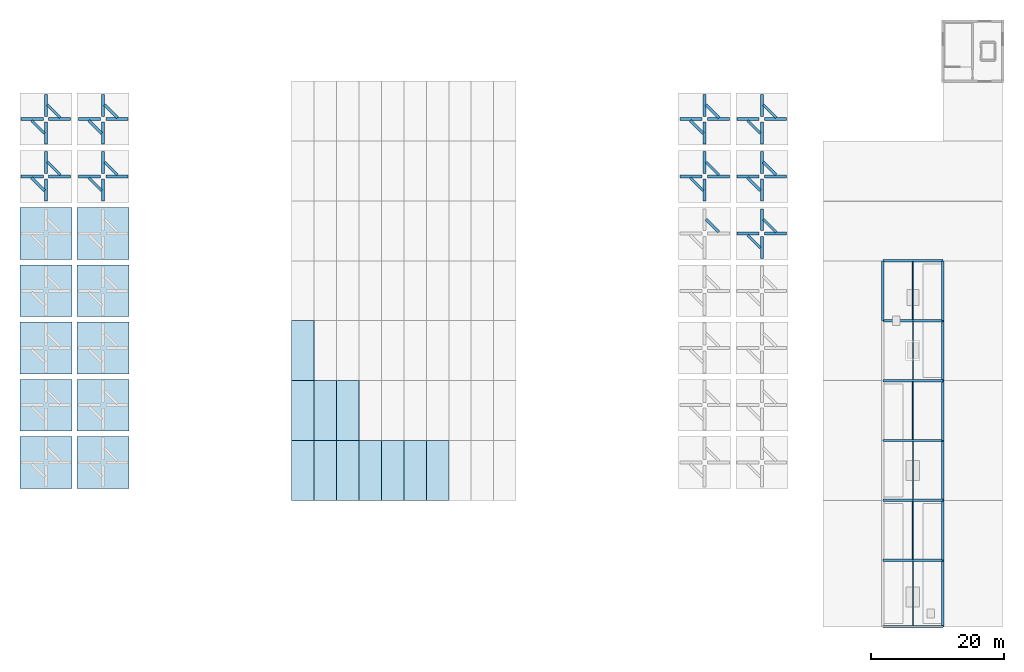
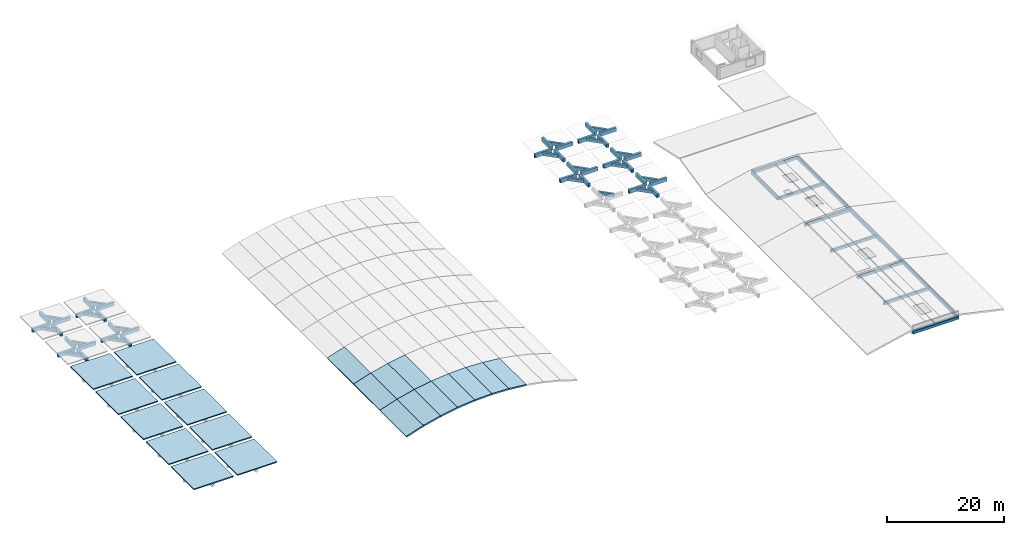
# One storey, part 3 of 7: 75 beams, 21 slabs.
"""IFC4 building model written with IfcOpenShell, lengths in metres."""

import ifcopenshell
import ifcopenshell.guid

model = None  # the IFC model being written
_history = None  # IfcOwnerHistory: only IFC2X3 demands one
_inside = {}  # id of a spatial element -> (the spatial element, [elements in it])
_under = {}  # id of a project, library or spatial element -> (it, [spatial elements below it])
_declared = {}  # id of a project -> (the project, [libraries it declares])
_typed = {}  # id of a type object -> (the type object, [elements of that type])
_made_of = {}  # id of a material, layer set ... -> (it, [elements and type objects made of it])


def new_model(schema):
    """Start an empty IFC model of exactly this schema.

    Asked for "IFC4X3", IfcOpenShell would pick the latest addendum, in which some entities
    have other attributes; the version numbers below select the first issue.
    IFC2X3 requires an IfcOwnerHistory on every rooted entity: one is made here for all.
    """
    global model, _history
    if schema == "IFC4X3":
        model = ifcopenshell.file(schema_version=(4, 3, 0, 0))
    else:
        model = ifcopenshell.file(schema=schema)
    _inside.clear()
    _under.clear()
    _declared.clear()
    _typed.clear()
    _made_of.clear()
    _history = None
    if model.schema == "IFC2X3":
        org = make("IfcOrganization", Name="unknown")
        user = make(
            "IfcPersonAndOrganization",
            ThePerson=make("IfcPerson", FamilyName="unknown"),
            TheOrganization=org,
        )
        app = make(
            "IfcApplication",
            ApplicationDeveloper=org,
            Version="unknown",
            ApplicationFullName="unknown",
            ApplicationIdentifier="unknown",
        )
        _history = make(
            "IfcOwnerHistory",
            OwningUser=user,
            OwningApplication=app,
            ChangeAction="ADDED",
            CreationDate=0,
        )
    return model


def make(cls, **values):
    """One entity of the class cls with the attributes given. An attribute that is None is left unset."""
    return model.create_entity(
        cls, **{name: value for name, value in values.items() if value is not None}
    )


def rooted(cls, **values):
    """An entity with a GlobalId (a new one), such as an element, a storey or a relation."""
    return make(cls, GlobalId=ifcopenshell.guid.new(), OwnerHistory=_history, **values)


def si_unit(unit_type, name, prefix=None):
    """IfcSIUnit, for example si_unit("LENGTHUNIT", "METRE", prefix="MILLI")."""
    return make("IfcSIUnit", UnitType=unit_type, Prefix=prefix, Name=name)


def assignment(units):
    """IfcUnitAssignment: the units of a project."""
    return None if units is None else make("IfcUnitAssignment", Units=units)


def point(xyz):
    """IfcCartesianPoint."""
    return None if xyz is None else make("IfcCartesianPoint", Coordinates=xyz)


def direction(xyz):
    """IfcDirection."""
    return None if xyz is None else make("IfcDirection", DirectionRatios=xyz)


def frame(location, z_axis=None, x_axis=None):
    """IfcAxis2Placement3D, a coordinate frame: its origin and axes. An axis left out is left unset."""
    return make(
        "IfcAxis2Placement3D",
        Location=point(location),
        Axis=direction(z_axis),
        RefDirection=direction(x_axis),
    )


def frame_2d(location, x_axis=None):
    """IfcAxis2Placement2D, a coordinate frame in the plane: its origin and x axis."""
    return make(
        "IfcAxis2Placement2D", Location=point(location), RefDirection=direction(x_axis)
    )


def origin():
    """The frame at (0, 0, 0) with its axes left unset."""
    return frame((0.0, 0.0, 0.0))


def origin_2d():
    """The frame at (0, 0) in the plane with its x axis left unset."""
    return frame_2d((0.0, 0.0))


def place(relative_to, where):
    """IfcLocalPlacement: puts the frame where relative to a parent placement (None: the world)."""
    return make(
        "IfcLocalPlacement", PlacementRelTo=relative_to, RelativePlacement=where
    )


def context(
    kind, dimensions, precision=None, world=None, true_north=None, identifier=None
):
    """IfcGeometricRepresentationContext, for example the 3D "Model" context."""
    return make(
        "IfcGeometricRepresentationContext",
        ContextIdentifier=identifier,
        ContextType=kind,
        CoordinateSpaceDimension=dimensions,
        Precision=precision,
        WorldCoordinateSystem=world,
        TrueNorth=true_north,
    )


def subcontext(parent, identifier, kind, view, scale=None):
    """IfcGeometricRepresentationSubContext, for example "Body" below "Model"."""
    return make(
        "IfcGeometricRepresentationSubContext",
        ContextIdentifier=identifier,
        ContextType=kind,
        ParentContext=parent,
        TargetScale=scale,
        TargetView=view,
    )


def project(units=None, contexts=None):
    """IfcProject with its units and contexts."""
    return rooted(
        "IfcProject",
        Name="project",
        RepresentationContexts=contexts,
        UnitsInContext=assignment(units),
    )


def spatial(cls, under=None, at=None, **own):
    """A site, building, storey or space (cls), placed at a placement, below another one or the project."""
    s = rooted(cls, ObjectPlacement=at, **own)
    if under is not None:
        _under.setdefault(under.id(), (under, []))[1].append(s)
    return s


def polyline(points):
    """IfcPolyline through the points."""
    return make("IfcPolyline", Points=[point(p) for p in points])


def profile(cls, at=None, kind="AREA", **sizes):
    """A parametric profile (cls). Its sizes go by their IFC names, for example OverallWidth=200.0."""
    return make(cls, ProfileType=kind, Position=at, **sizes)


def rectangle(**sizes):
    """IfcRectangleProfileDef."""
    return profile("IfcRectangleProfileDef", **sizes)


def i_section(**sizes):
    """IfcIShapeProfileDef."""
    return profile("IfcIShapeProfileDef", **sizes)


def outline(outer, holes=None, kind="AREA"):
    """IfcArbitraryClosedProfileDef: a profile drawn as a closed curve; with holes, ...WithVoids."""
    if holes is None:
        return make("IfcArbitraryClosedProfileDef", ProfileType=kind, OuterCurve=outer)
    return make(
        "IfcArbitraryProfileDefWithVoids",
        ProfileType=kind,
        OuterCurve=outer,
        InnerCurves=holes,
    )


def extrude(swept, where, along, depth):
    """IfcExtrudedAreaSolid: the profile swept, set in the frame where, extruded along a direction by depth."""
    return make(
        "IfcExtrudedAreaSolid",
        SweptArea=swept,
        Position=where,
        ExtrudedDirection=direction(along),
        Depth=depth,
    )


def shape(context_of_items, identifier, shape_type, items):
    """IfcShapeRepresentation: the items that make up one representation, for example the "Body"."""
    return make(
        "IfcShapeRepresentation",
        ContextOfItems=context_of_items,
        RepresentationIdentifier=identifier,
        RepresentationType=shape_type,
        Items=items,
    )


def material(Name=None, Category=None):
    """IfcMaterial."""
    return make("IfcMaterial", Name=Name, Category=Category)


def layer(
    of_material, thickness, ventilated=None, Name=None, Category=None, Priority=None
):
    """IfcMaterialLayer: one layer of a wall or slab, of a material (None: an air gap)."""
    return make(
        "IfcMaterialLayer",
        Material=of_material,
        LayerThickness=thickness,
        IsVentilated=ventilated,
        Name=Name,
        Category=Category,
        Priority=Priority,
    )


def layer_set(layers, Name=None):
    """IfcMaterialLayerSet."""
    return make("IfcMaterialLayerSet", MaterialLayers=layers, LayerSetName=Name)


def material_profile(
    of_material, cross_section, Name=None, Category=None, Priority=None
):
    """IfcMaterialProfile: a cross section and its material."""
    return make(
        "IfcMaterialProfile",
        Name=Name,
        Material=of_material,
        Profile=cross_section,
        Priority=Priority,
        Category=Category,
    )


def profile_set(profiles, Name=None, composite=None):
    """IfcMaterialProfileSet."""
    return make(
        "IfcMaterialProfileSet",
        Name=Name,
        MaterialProfiles=profiles,
        CompositeProfile=composite,
    )


def made_of(thing, what):
    """Note that an element or type object is made of a material, layer set ...; save() writes the relation."""
    if what is not None:
        _made_of.setdefault(what.id(), (what, []))[1].append(thing)
    return thing


def type_object(cls, material=None, **own):
    """A type object (cls), such as IfcWallType, which elements share."""
    return made_of(rooted(cls, **own), material)


def element(
    cls,
    number,
    at=None,
    inside=None,
    cuts=None,
    type_object=None,
    material=None,
    context=None,
    identifier="Body",
    shape_type=None,
    held_by="IfcProductDefinitionShape",
    body=None,
    shapes=None,
    **own,
):
    """One element of the class cls, such as IfcWall. Its Tag is "e" and its number.

    at: its placement. inside: the storey or other place that contains it. cuts: it is an
    opening in that element (IfcRelVoidsElement). A single representation is given by context,
    identifier, shape_type and body (its items); several are given by shapes. held_by: the class
    of the entity that holds the representations. save() writes the other relations.
    """
    e = rooted(cls, Tag="e%d" % number, ObjectPlacement=at, **own)
    if body is not None:
        shapes = [shape(context, identifier, shape_type, body)]
    if shapes is not None:
        e.Representation = make(held_by, Representations=shapes)
    if inside is not None:
        _inside.setdefault(inside.id(), (inside, []))[1].append(e)
    if cuts is not None:
        rooted(
            "IfcRelVoidsElement", RelatingBuildingElement=cuts, RelatedOpeningElement=e
        )
    if type_object is not None:
        _typed.setdefault(type_object.id(), (type_object, []))[1].append(e)
    return made_of(e, material)


def aggregate(whole, parts):
    """IfcRelAggregates: a whole, such as a stair, and the parts it consists of."""
    return rooted("IfcRelAggregates", RelatingObject=whole, RelatedObjects=parts)


def save(model, path):
    """Write the relations noted so far, then the file.

    IfcRelAggregates (storeys below a building ...), IfcRelContainedInSpatialStructure (elements
    in a storey), IfcRelDefinesByType, IfcRelAssociatesMaterial and IfcRelDeclares: one each for
    every whole, place, type object, material and project.
    """
    for whole, parts in _under.values():
        aggregate(whole, parts)
    for where, things in _inside.values():
        rooted(
            "IfcRelContainedInSpatialStructure",
            RelatedElements=things,
            RelatingStructure=where,
        )
    for kind, things in _typed.values():
        rooted("IfcRelDefinesByType", RelatedObjects=things, RelatingType=kind)
    for what, things in _made_of.values():
        rooted("IfcRelAssociatesMaterial", RelatedObjects=things, RelatingMaterial=what)
    for by, libraries in _declared.values():
        rooted("IfcRelDeclares", RelatingContext=by, RelatedDefinitions=libraries)
    model.write(path)


model = new_model("IFC4")

# Units and contexts
model_context = context("Model", 3, precision=1e-05, world=origin(), true_north=direction((0.0, 1.0)))
body_context = subcontext(model_context, "Body", "Model", "MODEL_VIEW")
ifc_project = project(units=[si_unit("LENGTHUNIT", "METRE"), si_unit("AREAUNIT", "SQUARE_METRE"), si_unit("VOLUMEUNIT", "CUBIC_METRE"), si_unit("PLANEANGLEUNIT", "RADIAN"), si_unit("MASSUNIT", "GRAM", prefix="KILO")], contexts=[model_context])

# Site, building, storey
site_placement = place(None, origin())
site = spatial("IfcSite", under=ifc_project, at=site_placement, CompositionType="ELEMENT")
building_placement = place(site_placement, origin())
building = spatial("IfcBuilding", under=site, at=building_placement, Name="Ornek Quay Market", CompositionType="ELEMENT")
storey_placement = place(building_placement, frame((0.0, 0.0, 16.64990234375)))
storey = spatial("IfcBuildingStorey", under=building, at=storey_placement, Name="ROOF", CompositionType="ELEMENT", Elevation=16.64990234375)

# Beams
ifc_material_1 = material(Name="Concrete C35/45", Category="concrete")
ifc_material_profile_1 = material_profile(ifc_material_1, rectangle(XDim=0.35009765625, YDim=0.60009765625, at=origin_2d()), Name="RC 350x600", Category="concrete")
ifc_profile_set_1 = profile_set([ifc_material_profile_1], Name="Concrete C35/45")
beam_type_1 = type_object("IfcBeamType", Name="BM-RF-350x600", PredefinedType="BEAM", material=ifc_profile_set_1)
for number, where, z_axis, x_axis, name in (
    (1, (162.0, 10.0, 0.130126953125), (1.0, 0.0, 0.0), (0.0, 1.0, 0.0), "Primary beam B-RF1-031"),
    (2, (162.0, 20.0, 0.130126953125), (1.0, 0.0, 0.0), (0.0, 1.0, 0.0), "Primary beam B-RF1-032"),
    (3, (162.0, 29.0, 0.130126953125), (1.0, 0.0, 0.0), (0.0, 1.0, 0.0), "Primary beam B-RF1-033"),
    (4, (162.0, 38.0, 0.130126953125), (1.0, 0.0, 0.0), (0.0, 1.0, 0.0), "Primary beam B-RF1-034"),
    (5, (162.0, 47.0, 0.130126953125), (1.0, 0.0, 0.0), (0.0, 1.0, 0.0), "Primary beam B-RF1-035"),
    (6, (162.0, 56.0, 0.130126953125), (1.0, 0.0, 0.0), (0.0, 1.0, 0.0), "Primary beam B-RF1-036"),
    (7, (162.0, 65.0, 0.130126953125), (1.0, 0.0, 0.0), (0.0, 1.0, 0.0), "Primary beam B-RF1-037"),
    (8, (162.0, 56.0, 0.130126953125), (0.0, 1.0, 0.0), (-1.0, 0.0, 0.0), "Primary beam B-RF1-043"),
):
    element("IfcBeam", number, at=place(storey_placement, frame(where, z_axis=z_axis, x_axis=x_axis)), inside=storey, type_object=beam_type_1, Name=name, PredefinedType="BEAM", context=body_context, shape_type="SweptSolid", body=[
        extrude(rectangle(XDim=0.35009765625, YDim=0.60009765625, at=origin_2d()), origin(), (0.0, 0.0, 1.0), 9.0),
    ])
beam_1_placement = place(storey_placement, frame((171.0, 10.0, 0.130126953125), z_axis=(0.0, 1.0, 0.0), x_axis=(-1.0, 0.0, 0.0)))
element("IfcBeam", 9, at=beam_1_placement, inside=storey, type_object=beam_type_1, Name="Primary beam B-RF1-044", PredefinedType="BEAM", context=body_context, shape_type="SweptSolid", body=[
    extrude(rectangle(XDim=0.35009765625, YDim=0.60009765625, at=origin_2d()), origin(), (0.0, 0.0, 1.0), 10.0),
])
for number, where, z_axis, x_axis, name in (
    (10, (171.0, 20.0, 0.130126953125), (0.0, 1.0, 0.0), (-1.0, 0.0, 0.0), "Primary beam B-RF1-045"),
    (11, (171.0, 29.0, 0.130126953125), (0.0, 1.0, 0.0), (-1.0, 0.0, 0.0), "Primary beam B-RF1-046"),
    (12, (171.0, 38.0, 0.130126953125), (0.0, 1.0, 0.0), (-1.0, 0.0, 0.0), "Primary beam B-RF1-047"),
    (13, (171.0, 47.0, 0.130126953125), (0.0, 1.0, 0.0), (-1.0, 0.0, 0.0), "Primary beam B-RF1-048"),
    (14, (171.0, 56.0, 0.130126953125), (0.0, 1.0, 0.0), (-1.0, 0.0, 0.0), "Primary beam B-RF1-049"),
):
    element("IfcBeam", number, at=place(storey_placement, frame(where, z_axis=z_axis, x_axis=x_axis)), inside=storey, type_object=beam_type_1, Name=name, PredefinedType="BEAM", context=body_context, shape_type="SweptSolid", body=[
        extrude(rectangle(XDim=0.35009765625, YDim=0.60009765625, at=origin_2d()), origin(), (0.0, 0.0, 1.0), 9.0),
    ])
ifc_material_2 = material(Name="Steel S355", Category="steel")
ifc_material_profile_2 = material_profile(ifc_material_2, i_section(OverallWidth=0.10009765625, OverallDepth=0.199951171875, WebThickness=0.005615234375, FlangeThickness=0.008544921875, FilletRadius=0.011962890625, at=origin_2d()), Name="IPE 200", Category="steel")
ifc_profile_set_2 = profile_set([ifc_material_profile_2], Name="Steel S355")
beam_type_2 = type_object("IfcBeamType", Name="BM-STL-IPE200", PredefinedType="JOIST", material=ifc_profile_set_2)
beam_2_placement = place(storey_placement, frame((166.5, 10.1669921875, 0.330078125), z_axis=(0.0, 1.0, 0.0), x_axis=(-1.0, 0.0, 0.0)))
element("IfcBeam", 15, at=beam_2_placement, inside=storey, type_object=beam_type_2, Name="Secondary joist SB-02-051", PredefinedType="JOIST", context=body_context, shape_type="SweptSolid", body=[
    extrude(i_section(OverallWidth=0.10009765625, OverallDepth=0.199951171875, WebThickness=0.005615234375, FlangeThickness=0.008544921875, FilletRadius=0.011962890625, at=origin_2d()), origin(), (0.0, 0.0, 1.0), 9.666015625),
])
for number, where, z_axis, x_axis, name in (
    (16, (166.5, 29.1669921875, 0.330078125), (0.0, 1.0, 0.0), (-1.0, 0.0, 0.0), "Secondary joist SB-02-052"),
    (17, (166.5, 47.1669921875, 0.330078125), (0.0, 1.0, 0.0), (-1.0, 0.0, 0.0), "Secondary joist SB-02-053"),
):
    element("IfcBeam", number, at=place(storey_placement, frame(where, z_axis=z_axis, x_axis=x_axis)), inside=storey, type_object=beam_type_2, Name=name, PredefinedType="JOIST", context=body_context, shape_type="SweptSolid", body=[
        extrude(i_section(OverallWidth=0.10009765625, OverallDepth=0.199951171875, WebThickness=0.005615234375, FlangeThickness=0.008544921875, FilletRadius=0.011962890625, at=origin_2d()), origin(), (0.0, 0.0, 1.0), 8.666015625),
    ])
ifc_material_profile_3 = material_profile(ifc_material_2, i_section(OverallWidth=0.110107421875, OverallDepth=0.219970703125, WebThickness=0.005859375, FlangeThickness=0.00927734375, FilletRadius=0.011962890625, at=origin_2d()), Name="IPE 220", Category="steel")
ifc_profile_set_3 = profile_set([ifc_material_profile_3], Name="Steel S355")
beam_type_3 = type_object("IfcBeamType", Name="BM-STL-IPE220", PredefinedType="JOIST", material=ifc_profile_set_3)
for number, where, z_axis, x_axis, name in (
    (18, (166.5, 20.1669921875, 0.320068359375), (0.0, 1.0, 0.0), (-1.0, 0.0, 0.0), "Secondary joist SB-03-040"),
    (19, (166.5, 38.1669921875, 0.320068359375), (0.0, 1.0, 0.0), (-1.0, 0.0, 0.0), "Secondary joist SB-03-041"),
    (20, (166.5, 56.1669921875, 0.320068359375), (0.0, 1.0, 0.0), (-1.0, 0.0, 0.0), "Secondary joist SB-03-042"),
):
    element("IfcBeam", number, at=place(storey_placement, frame(where, z_axis=z_axis, x_axis=x_axis)), inside=storey, type_object=beam_type_3, Name=name, PredefinedType="JOIST", context=body_context, shape_type="SweptSolid", body=[
        extrude(i_section(OverallWidth=0.110107421875, OverallDepth=0.219970703125, WebThickness=0.005859375, FlangeThickness=0.00927734375, FilletRadius=0.011962890625, at=origin_2d()), origin(), (0.0, 0.0, 1.0), 8.666015625),
    ])
ifc_material_3 = material(Name="Concrete C40/50", Category="concrete")
ifc_material_profile_4 = material_profile(ifc_material_3, rectangle(XDim=0.39990234375, YDim=0.64990234375, at=origin_2d()), Name="RC 400x650", Category="concrete")
ifc_profile_set_4 = profile_set([ifc_material_profile_4], Name="Concrete C40/50")
beam_type_4 = type_object("IfcBeamType", Name="BM-UMB-400x650", PredefinedType="BEAM", material=ifc_profile_set_4)
for number, where, z_axis, x_axis, name in (
    (21, (38.35009765625, 77.925048828125, -0.294921875), (-0.707106781187, 0.707106781187, 0.0), (-0.707106781187, -0.707106781187, 0.0), "Umbrella diagonal rib UMB-W06 EN"),
    (22, (34.050048828125, 77.47509765625, -0.294921875), (0.707106781187, -0.707106781187, 0.0), (0.707106781187, 0.707106781187, 0.0), "Umbrella diagonal rib UMB-W06 WS"),
    (23, (38.35009765625, 86.52490234375, -0.294921875), (-0.707106781187, 0.707106781187, 0.0), (-0.707106781187, -0.707106781187, 0.0), "Umbrella diagonal rib UMB-W07 EN"),
    (24, (34.050048828125, 86.074951171875, -0.294921875), (0.707106781187, -0.707106781187, 0.0), (0.707106781187, 0.707106781187, 0.0), "Umbrella diagonal rib UMB-W07 WS"),
    (25, (46.949951171875, 77.925048828125, -0.294921875), (-0.707106781187, 0.707106781187, 0.0), (-0.707106781187, -0.707106781187, 0.0), "Umbrella diagonal rib UMB-W13 EN"),
    (26, (42.64990234375, 77.47509765625, -0.294921875), (0.707106781187, -0.707106781187, 0.0), (0.707106781187, 0.707106781187, 0.0), "Umbrella diagonal rib UMB-W13 WS"),
    (27, (46.949951171875, 86.52490234375, -0.294921875), (-0.707106781187, 0.707106781187, 0.0), (-0.707106781187, -0.707106781187, 0.0), "Umbrella diagonal rib UMB-W14 EN"),
    (28, (42.64990234375, 86.074951171875, -0.294921875), (0.707106781187, -0.707106781187, 0.0), (0.707106781187, 0.707106781187, 0.0), "Umbrella diagonal rib UMB-W14 WS"),
    (29, (137.35009765625, 69.324951171875, 1.405029296875), (-0.707106781187, 0.707106781187, 0.0), (-0.707106781187, -0.707106781187, 0.0), "Umbrella diagonal rib UMB-E05 EN"),
    (30, (137.35009765625, 77.925048828125, 1.405029296875), (-0.707106781187, 0.707106781187, 0.0), (-0.707106781187, -0.707106781187, 0.0), "Umbrella diagonal rib UMB-E06 EN"),
    (31, (133.050048828125, 77.47509765625, 1.405029296875), (0.707106781187, -0.707106781187, 0.0), (0.707106781187, 0.707106781187, 0.0), "Umbrella diagonal rib UMB-E06 WS"),
    (32, (137.35009765625, 86.52490234375, 1.405029296875), (-0.707106781187, 0.707106781187, 0.0), (-0.707106781187, -0.707106781187, 0.0), "Umbrella diagonal rib UMB-E07 EN"),
    (33, (133.050048828125, 86.074951171875, 1.405029296875), (0.707106781187, -0.707106781187, 0.0), (0.707106781187, 0.707106781187, 0.0), "Umbrella diagonal rib UMB-E07 WS"),
    (34, (145.949951171875, 69.324951171875, 1.405029296875), (-0.707106781187, 0.707106781187, 0.0), (-0.707106781187, -0.707106781187, 0.0), "Umbrella diagonal rib UMB-E12 EN"),
    (35, (141.64990234375, 68.875, 1.405029296875), (0.707106781187, -0.707106781187, 0.0), (0.707106781187, 0.707106781187, 0.0), "Umbrella diagonal rib UMB-E12 WS"),
    (36, (145.949951171875, 77.925048828125, 1.405029296875), (-0.707106781187, 0.707106781187, 0.0), (-0.707106781187, -0.707106781187, 0.0), "Umbrella diagonal rib UMB-E13 EN"),
    (37, (141.64990234375, 77.47509765625, 1.405029296875), (0.707106781187, -0.707106781187, 0.0), (0.707106781187, 0.707106781187, 0.0), "Umbrella diagonal rib UMB-E13 WS"),
    (38, (145.949951171875, 86.52490234375, 1.405029296875), (-0.707106781187, 0.707106781187, 0.0), (-0.707106781187, -0.707106781187, 0.0), "Umbrella diagonal rib UMB-E14 EN"),
    (39, (141.64990234375, 86.074951171875, 1.405029296875), (0.707106781187, -0.707106781187, 0.0), (0.707106781187, 0.707106781187, 0.0), "Umbrella diagonal rib UMB-E14 WS"),
):
    element("IfcBeam", number, at=place(storey_placement, frame(where, z_axis=z_axis, x_axis=x_axis)), inside=storey, type_object=beam_type_4, Name=name, PredefinedType="BEAM", context=body_context, shape_type="SweptSolid", body=[
        extrude(rectangle(XDim=0.39990234375, YDim=0.64990234375, at=origin_2d()), origin(), (0.0, 0.0, 1.0), 2.722412109375),
    ])
ifc_material_profile_5 = material_profile(ifc_material_3, rectangle(XDim=0.449951171875, YDim=0.75, at=origin_2d()), Name="RC 450x750", Category="concrete")
ifc_profile_set_5 = profile_set([ifc_material_profile_5], Name="Concrete C40/50")
beam_type_5 = type_object("IfcBeamType", Name="BM-UMB-450x750", PredefinedType="BEAM", material=ifc_profile_set_5)
beam_3_placement = place(storey_placement, frame((36.60009765625, 77.699951171875, -0.344970703125), z_axis=(1.0, 0.0, 0.0), x_axis=(0.0, 1.0, 0.0)))
element("IfcBeam", 40, at=beam_3_placement, inside=storey, type_object=beam_type_5, Name="Umbrella cantilever rib UMB-W06 E", PredefinedType="BEAM", context=body_context, shape_type="SweptSolid", body=[
    extrude(rectangle(XDim=0.449951171875, YDim=0.75, at=origin_2d()), origin(), (0.0, 0.0, 1.0), 3.31982421875),
])
beam_4_placement = place(storey_placement, frame((35.800048828125, 77.699951171875, -0.344970703125), z_axis=(-1.0, 0.0, 0.0), x_axis=(0.0, -1.0, 0.0)))
element("IfcBeam", 41, at=beam_4_placement, inside=storey, type_object=beam_type_5, Name="Umbrella cantilever rib UMB-W06 W", PredefinedType="BEAM", context=body_context, shape_type="SweptSolid", body=[
    extrude(rectangle(XDim=0.449951171875, YDim=0.75, at=origin_2d()), origin(), (0.0, 0.0, 1.0), 3.320068359375),
])
beam_5_placement = place(storey_placement, frame((36.199951171875, 78.10009765625, -0.344970703125), z_axis=(0.0, 1.0, 0.0), x_axis=(-1.0, 0.0, 0.0)))
element("IfcBeam", 42, at=beam_5_placement, inside=storey, type_object=beam_type_5, Name="Umbrella cantilever rib UMB-W06 N", PredefinedType="BEAM", context=body_context, shape_type="SweptSolid", body=[
    extrude(rectangle(XDim=0.449951171875, YDim=0.75, at=origin_2d()), origin(), (0.0, 0.0, 1.0), 3.31982421875),
])
beam_6_placement = place(storey_placement, frame((36.199951171875, 77.300048828125, -0.344970703125), z_axis=(0.0, -1.0, 0.0), x_axis=(1.0, 0.0, 0.0)))
element("IfcBeam", 43, at=beam_6_placement, inside=storey, type_object=beam_type_5, Name="Umbrella cantilever rib UMB-W06 S", PredefinedType="BEAM", context=body_context, shape_type="SweptSolid", body=[
    extrude(rectangle(XDim=0.449951171875, YDim=0.75, at=origin_2d()), origin(), (0.0, 0.0, 1.0), 3.320068359375),
])
beam_7_placement = place(storey_placement, frame((36.60009765625, 86.300048828125, -0.344970703125), z_axis=(1.0, 0.0, 0.0), x_axis=(0.0, 1.0, 0.0)))
element("IfcBeam", 44, at=beam_7_placement, inside=storey, type_object=beam_type_5, Name="Umbrella cantilever rib UMB-W07 E", PredefinedType="BEAM", context=body_context, shape_type="SweptSolid", body=[
    extrude(rectangle(XDim=0.449951171875, YDim=0.75, at=origin_2d()), origin(), (0.0, 0.0, 1.0), 3.31982421875),
])
for number, where, z_axis, x_axis, name in (
    (45, (35.800048828125, 86.300048828125, -0.344970703125), (-1.0, 0.0, 0.0), (0.0, -1.0, 0.0), "Umbrella cantilever rib UMB-W07 W"),
    (46, (36.199951171875, 86.699951171875, -0.344970703125), (0.0, 1.0, 0.0), (-1.0, 0.0, 0.0), "Umbrella cantilever rib UMB-W07 N"),
):
    element("IfcBeam", number, at=place(storey_placement, frame(where, z_axis=z_axis, x_axis=x_axis)), inside=storey, type_object=beam_type_5, Name=name, PredefinedType="BEAM", context=body_context, shape_type="SweptSolid", body=[
        extrude(rectangle(XDim=0.449951171875, YDim=0.75, at=origin_2d()), origin(), (0.0, 0.0, 1.0), 3.320068359375),
    ])
beam_8_placement = place(storey_placement, frame((36.199951171875, 85.89990234375, -0.344970703125), z_axis=(0.0, -1.0, 0.0), x_axis=(1.0, 0.0, 0.0)))
element("IfcBeam", 47, at=beam_8_placement, inside=storey, type_object=beam_type_5, Name="Umbrella cantilever rib UMB-W07 S", PredefinedType="BEAM", context=body_context, shape_type="SweptSolid", body=[
    extrude(rectangle(XDim=0.449951171875, YDim=0.75, at=origin_2d()), origin(), (0.0, 0.0, 1.0), 3.31982421875),
])
beam_9_placement = place(storey_placement, frame((45.199951171875, 77.699951171875, -0.344970703125), z_axis=(1.0, 0.0, 0.0), x_axis=(0.0, 1.0, 0.0)))
element("IfcBeam", 48, at=beam_9_placement, inside=storey, type_object=beam_type_5, Name="Umbrella cantilever rib UMB-W13 E", PredefinedType="BEAM", context=body_context, shape_type="SweptSolid", body=[
    extrude(rectangle(XDim=0.449951171875, YDim=0.75, at=origin_2d()), origin(), (0.0, 0.0, 1.0), 3.320068359375),
])
for number, where, z_axis, x_axis, name in (
    (49, (44.39990234375, 77.699951171875, -0.344970703125), (-1.0, 0.0, 0.0), (0.0, -1.0, 0.0), "Umbrella cantilever rib UMB-W13 W"),
    (50, (44.800048828125, 78.10009765625, -0.344970703125), (0.0, 1.0, 0.0), (-1.0, 0.0, 0.0), "Umbrella cantilever rib UMB-W13 N"),
):
    element("IfcBeam", number, at=place(storey_placement, frame(where, z_axis=z_axis, x_axis=x_axis)), inside=storey, type_object=beam_type_5, Name=name, PredefinedType="BEAM", context=body_context, shape_type="SweptSolid", body=[
        extrude(rectangle(XDim=0.449951171875, YDim=0.75, at=origin_2d()), origin(), (0.0, 0.0, 1.0), 3.31982421875),
    ])
for number, where, z_axis, x_axis, name in (
    (51, (44.800048828125, 77.300048828125, -0.344970703125), (0.0, -1.0, 0.0), (1.0, 0.0, 0.0), "Umbrella cantilever rib UMB-W13 S"),
    (52, (45.199951171875, 86.300048828125, -0.344970703125), (1.0, 0.0, 0.0), (0.0, 1.0, 0.0), "Umbrella cantilever rib UMB-W14 E"),
):
    element("IfcBeam", number, at=place(storey_placement, frame(where, z_axis=z_axis, x_axis=x_axis)), inside=storey, type_object=beam_type_5, Name=name, PredefinedType="BEAM", context=body_context, shape_type="SweptSolid", body=[
        extrude(rectangle(XDim=0.449951171875, YDim=0.75, at=origin_2d()), origin(), (0.0, 0.0, 1.0), 3.320068359375),
    ])
beam_10_placement = place(storey_placement, frame((44.39990234375, 86.300048828125, -0.344970703125), z_axis=(-1.0, 0.0, 0.0), x_axis=(0.0, -1.0, 0.0)))
element("IfcBeam", 53, at=beam_10_placement, inside=storey, type_object=beam_type_5, Name="Umbrella cantilever rib UMB-W14 W", PredefinedType="BEAM", context=body_context, shape_type="SweptSolid", body=[
    extrude(rectangle(XDim=0.449951171875, YDim=0.75, at=origin_2d()), origin(), (0.0, 0.0, 1.0), 3.31982421875),
])
beam_11_placement = place(storey_placement, frame((44.800048828125, 86.699951171875, -0.344970703125), z_axis=(0.0, 1.0, 0.0), x_axis=(-1.0, 0.0, 0.0)))
element("IfcBeam", 54, at=beam_11_placement, inside=storey, type_object=beam_type_5, Name="Umbrella cantilever rib UMB-W14 N", PredefinedType="BEAM", context=body_context, shape_type="SweptSolid", body=[
    extrude(rectangle(XDim=0.449951171875, YDim=0.75, at=origin_2d()), origin(), (0.0, 0.0, 1.0), 3.320068359375),
])
beam_12_placement = place(storey_placement, frame((44.800048828125, 85.89990234375, -0.344970703125), z_axis=(0.0, -1.0, 0.0), x_axis=(1.0, 0.0, 0.0)))
element("IfcBeam", 55, at=beam_12_placement, inside=storey, type_object=beam_type_5, Name="Umbrella cantilever rib UMB-W14 S", PredefinedType="BEAM", context=body_context, shape_type="SweptSolid", body=[
    extrude(rectangle(XDim=0.449951171875, YDim=0.75, at=origin_2d()), origin(), (0.0, 0.0, 1.0), 3.31982421875),
])
for number, where, z_axis, x_axis, name in (
    (56, (135.625, 77.699951171875, 1.35498046875), (1.0, 0.0, 0.0), (0.0, 1.0, 0.0), "Umbrella cantilever rib UMB-E06 E"),
    (57, (134.77490234375, 77.699951171875, 1.35498046875), (-1.0, 0.0, 0.0), (0.0, -1.0, 0.0), "Umbrella cantilever rib UMB-E06 W"),
    (58, (135.199951171875, 78.125, 1.35498046875), (0.0, 1.0, 0.0), (-1.0, 0.0, 0.0), "Umbrella cantilever rib UMB-E06 N"),
    (59, (135.199951171875, 77.27490234375, 1.35498046875), (0.0, -1.0, 0.0), (1.0, 0.0, 0.0), "Umbrella cantilever rib UMB-E06 S"),
    (60, (135.625, 86.300048828125, 1.35498046875), (1.0, 0.0, 0.0), (0.0, 1.0, 0.0), "Umbrella cantilever rib UMB-E07 E"),
    (61, (134.77490234375, 86.300048828125, 1.35498046875), (-1.0, 0.0, 0.0), (0.0, -1.0, 0.0), "Umbrella cantilever rib UMB-E07 W"),
    (62, (135.199951171875, 86.72509765625, 1.35498046875), (0.0, 1.0, 0.0), (-1.0, 0.0, 0.0), "Umbrella cantilever rib UMB-E07 N"),
    (63, (135.199951171875, 85.875, 1.35498046875), (0.0, -1.0, 0.0), (1.0, 0.0, 0.0), "Umbrella cantilever rib UMB-E07 S"),
    (64, (144.22509765625, 69.10009765625, 1.35498046875), (1.0, 0.0, 0.0), (0.0, 1.0, 0.0), "Umbrella cantilever rib UMB-E12 E"),
    (65, (143.375, 69.10009765625, 1.35498046875), (-1.0, 0.0, 0.0), (0.0, -1.0, 0.0), "Umbrella cantilever rib UMB-E12 W"),
):
    element("IfcBeam", number, at=place(storey_placement, frame(where, z_axis=z_axis, x_axis=x_axis)), inside=storey, type_object=beam_type_5, Name=name, PredefinedType="BEAM", context=body_context, shape_type="SweptSolid", body=[
        extrude(rectangle(XDim=0.449951171875, YDim=0.75, at=origin_2d()), origin(), (0.0, 0.0, 1.0), 3.294921875),
    ])
for number, where, z_axis, x_axis, name in (
    (66, (143.800048828125, 69.52490234375, 1.35498046875), (0.0, 1.0, 0.0), (-1.0, 0.0, 0.0), "Umbrella cantilever rib UMB-E12 N"),
    (67, (143.800048828125, 68.675048828125, 1.35498046875), (0.0, -1.0, 0.0), (1.0, 0.0, 0.0), "Umbrella cantilever rib UMB-E12 S"),
):
    element("IfcBeam", number, at=place(storey_placement, frame(where, z_axis=z_axis, x_axis=x_axis)), inside=storey, type_object=beam_type_5, Name=name, PredefinedType="BEAM", context=body_context, shape_type="SweptSolid", body=[
        extrude(rectangle(XDim=0.449951171875, YDim=0.75, at=origin_2d()), origin(), (0.0, 0.0, 1.0), 3.295166015625),
    ])
for number, where, z_axis, x_axis, name in (
    (68, (144.22509765625, 77.699951171875, 1.35498046875), (1.0, 0.0, 0.0), (0.0, 1.0, 0.0), "Umbrella cantilever rib UMB-E13 E"),
    (69, (143.375, 77.699951171875, 1.35498046875), (-1.0, 0.0, 0.0), (0.0, -1.0, 0.0), "Umbrella cantilever rib UMB-E13 W"),
    (70, (143.800048828125, 78.125, 1.35498046875), (0.0, 1.0, 0.0), (-1.0, 0.0, 0.0), "Umbrella cantilever rib UMB-E13 N"),
    (71, (143.800048828125, 77.27490234375, 1.35498046875), (0.0, -1.0, 0.0), (1.0, 0.0, 0.0), "Umbrella cantilever rib UMB-E13 S"),
    (72, (144.22509765625, 86.300048828125, 1.35498046875), (1.0, 0.0, 0.0), (0.0, 1.0, 0.0), "Umbrella cantilever rib UMB-E14 E"),
    (73, (143.375, 86.300048828125, 1.35498046875), (-1.0, 0.0, 0.0), (0.0, -1.0, 0.0), "Umbrella cantilever rib UMB-E14 W"),
    (74, (143.800048828125, 86.72509765625, 1.35498046875), (0.0, 1.0, 0.0), (-1.0, 0.0, 0.0), "Umbrella cantilever rib UMB-E14 N"),
    (75, (143.800048828125, 85.875, 1.35498046875), (0.0, -1.0, 0.0), (1.0, 0.0, 0.0), "Umbrella cantilever rib UMB-E14 S"),
):
    element("IfcBeam", number, at=place(storey_placement, frame(where, z_axis=z_axis, x_axis=x_axis)), inside=storey, type_object=beam_type_5, Name=name, PredefinedType="BEAM", context=body_context, shape_type="SweptSolid", body=[
        extrude(rectangle(XDim=0.449951171875, YDim=0.75, at=origin_2d()), origin(), (0.0, 0.0, 1.0), 3.294921875),
    ])

# Slabs
ifc_layer_1 = layer(ifc_material_3, 0.219970703125, Name="Concrete C40/50", Category="concrete")
ifc_layer_set_1 = layer_set([ifc_layer_1], Name="Concrete C40/50")
slab_type_1 = type_object("IfcSlabType", Name="SL-UMB-CANOPY-220", PredefinedType="ROOF", material=ifc_layer_set_1)
slab_1_placement = place(storey_placement, frame((0.0, 0.0, 0.030029296875)))
element("IfcSlab", 76, at=slab_1_placement, inside=storey, type_object=slab_type_1, Name="Concrete umbrella canopy UMB-W01", PredefinedType="ROOF", context=body_context, shape_type="SweptSolid", body=[
    extrude(outline(polyline([(32.300048828125, 30.800048828125), (40.10009765625, 30.800048828125), (40.10009765625, 38.60009765625), (32.300048828125, 38.60009765625), (32.300048828125, 30.800048828125)])), origin(), (0.0, 0.0, 1.0), 0.219970703125),
])
slab_2_placement = place(storey_placement, frame((0.0, 0.0, 0.030029296875)))
element("IfcSlab", 77, at=slab_2_placement, inside=storey, type_object=slab_type_1, Name="Concrete umbrella canopy UMB-W02", PredefinedType="ROOF", context=body_context, shape_type="SweptSolid", body=[
    extrude(outline(polyline([(32.300048828125, 39.39990234375), (40.10009765625, 39.39990234375), (40.10009765625, 47.199951171875), (32.300048828125, 47.199951171875), (32.300048828125, 39.39990234375)])), origin(), (0.0, 0.0, 1.0), 0.219970703125),
])
slab_3_placement = place(storey_placement, frame((0.0, 0.0, 0.030029296875)))
element("IfcSlab", 78, at=slab_3_placement, inside=storey, type_object=slab_type_1, Name="Concrete umbrella canopy UMB-W03", PredefinedType="ROOF", context=body_context, shape_type="SweptSolid", body=[
    extrude(outline(polyline([(32.300048828125, 48.0), (40.10009765625, 48.0), (40.10009765625, 55.800048828125), (32.300048828125, 55.800048828125), (32.300048828125, 48.0)])), origin(), (0.0, 0.0, 1.0), 0.219970703125),
])
slab_4_placement = place(storey_placement, frame((0.0, 0.0, 0.030029296875)))
element("IfcSlab", 79, at=slab_4_placement, inside=storey, type_object=slab_type_1, Name="Concrete umbrella canopy UMB-W04", PredefinedType="ROOF", context=body_context, shape_type="SweptSolid", body=[
    extrude(outline(polyline([(32.300048828125, 56.60009765625), (40.10009765625, 56.60009765625), (40.10009765625, 64.39990234375), (32.300048828125, 64.39990234375), (32.300048828125, 56.60009765625)])), origin(), (0.0, 0.0, 1.0), 0.219970703125),
])
slab_5_placement = place(storey_placement, frame((0.0, 0.0, 0.030029296875)))
element("IfcSlab", 80, at=slab_5_placement, inside=storey, type_object=slab_type_1, Name="Concrete umbrella canopy UMB-W05", PredefinedType="ROOF", context=body_context, shape_type="SweptSolid", body=[
    extrude(outline(polyline([(32.300048828125, 65.199951171875), (40.10009765625, 65.199951171875), (40.10009765625, 73.0), (32.300048828125, 73.0), (32.300048828125, 65.199951171875)])), origin(), (0.0, 0.0, 1.0), 0.219970703125),
])
slab_6_placement = place(storey_placement, frame((0.0, 0.0, 0.030029296875)))
element("IfcSlab", 81, at=slab_6_placement, inside=storey, type_object=slab_type_1, Name="Concrete umbrella canopy UMB-W08", PredefinedType="ROOF", context=body_context, shape_type="SweptSolid", body=[
    extrude(outline(polyline([(40.89990234375, 30.800048828125), (48.699951171875, 30.800048828125), (48.699951171875, 38.60009765625), (40.89990234375, 38.60009765625), (40.89990234375, 30.800048828125)])), origin(), (0.0, 0.0, 1.0), 0.219970703125),
])
slab_7_placement = place(storey_placement, frame((0.0, 0.0, 0.030029296875)))
element("IfcSlab", 82, at=slab_7_placement, inside=storey, type_object=slab_type_1, Name="Concrete umbrella canopy UMB-W09", PredefinedType="ROOF", context=body_context, shape_type="SweptSolid", body=[
    extrude(outline(polyline([(40.89990234375, 39.39990234375), (48.699951171875, 39.39990234375), (48.699951171875, 47.199951171875), (40.89990234375, 47.199951171875), (40.89990234375, 39.39990234375)])), origin(), (0.0, 0.0, 1.0), 0.219970703125),
])
slab_8_placement = place(storey_placement, frame((0.0, 0.0, 0.030029296875)))
element("IfcSlab", 83, at=slab_8_placement, inside=storey, type_object=slab_type_1, Name="Concrete umbrella canopy UMB-W10", PredefinedType="ROOF", context=body_context, shape_type="SweptSolid", body=[
    extrude(outline(polyline([(40.89990234375, 48.0), (48.699951171875, 48.0), (48.699951171875, 55.800048828125), (40.89990234375, 55.800048828125), (40.89990234375, 48.0)])), origin(), (0.0, 0.0, 1.0), 0.219970703125),
])
slab_9_placement = place(storey_placement, frame((0.0, 0.0, 0.030029296875)))
element("IfcSlab", 84, at=slab_9_placement, inside=storey, type_object=slab_type_1, Name="Concrete umbrella canopy UMB-W11", PredefinedType="ROOF", context=body_context, shape_type="SweptSolid", body=[
    extrude(outline(polyline([(40.89990234375, 56.60009765625), (48.699951171875, 56.60009765625), (48.699951171875, 64.39990234375), (40.89990234375, 64.39990234375), (40.89990234375, 56.60009765625)])), origin(), (0.0, 0.0, 1.0), 0.219970703125),
])
slab_10_placement = place(storey_placement, frame((0.0, 0.0, 0.030029296875)))
element("IfcSlab", 85, at=slab_10_placement, inside=storey, type_object=slab_type_1, Name="Concrete umbrella canopy UMB-W12", PredefinedType="ROOF", context=body_context, shape_type="SweptSolid", body=[
    extrude(outline(polyline([(40.89990234375, 65.199951171875), (48.699951171875, 65.199951171875), (48.699951171875, 73.0), (40.89990234375, 73.0), (40.89990234375, 65.199951171875)])), origin(), (0.0, 0.0, 1.0), 0.219970703125),
])
ifc_material_4 = material(Name="Concrete C45/55", Category="concrete")
ifc_layer_2 = layer(ifc_material_4, 0.2900390625, Name="Concrete C45/55", Category="concrete")
ifc_layer_set_2 = layer_set([ifc_layer_2], Name="Concrete C45/55")
slab_type_2 = type_object("IfcSlabType", Name="SL-VLT-SHELL-290", PredefinedType="ROOF", material=ifc_layer_set_2)
slab_11_placement = place(storey_placement, frame((73.125, 29.0, -1.9541015625), z_axis=(-0.309844903611, 0.0, 0.950787113767), x_axis=(0.950787113767, 0.0, 0.309844903611)))
element("IfcSlab", 86, at=slab_11_placement, inside=storey, type_object=slab_type_2, Name="Sloped roof slab S-084 (ROOF)", PredefinedType="ROOF", context=body_context, shape_type="SweptSolid", body=[
    extrude(outline(polyline([(0.0, 0.0), (3.5496905155002842, 0.0), (3.5496905155002842, 9.000000000000002), (0.0, 9.000000000000002), (0.0, 0.0)])), origin(), (0.0, 0.0, -1.0), 0.2900390625),
])
slab_12_placement = place(storey_placement, frame((76.5, 29.0, -0.854248046875), z_axis=(-0.240949455139, 0.0, 0.970537665456), x_axis=(0.970537665456, 0.0, 0.240949455139)))
element("IfcSlab", 87, at=slab_12_placement, inside=storey, type_object=slab_type_2, Name="Sloped roof slab S-085 (ROOF)", PredefinedType="ROOF", context=body_context, shape_type="SweptSolid", body=[
    extrude(outline(polyline([(0.0, 0.0), (3.4774539104728466, 0.0), (3.4774539104728466, 9.000000000000002), (0.0, 9.000000000000002), (0.0, 0.0)])), origin(), (0.0, 0.0, -1.0), 0.2900390625),
])
slab_13_placement = place(storey_placement, frame((79.875, 29.0, -0.016357421875), z_axis=(-0.172159077901, 0.0, 0.985069160971), x_axis=(0.985069160971, 0.0, 0.172159077901)))
element("IfcSlab", 88, at=slab_13_placement, inside=storey, type_object=slab_type_2, Name="Sloped roof slab S-086 (ROOF)", PredefinedType="ROOF", context=body_context, shape_type="SweptSolid", body=[
    extrude(outline(polyline([(0.0, 0.0), (3.4261553743830806, 0.0), (3.4261553743830806, 9.0), (0.0, 9.0), (0.0, 0.0)])), origin(), (0.0, 0.0, -1.0), 0.2900390625),
])
slab_14_placement = place(storey_placement, frame((83.25, 29.0, 0.573486328125), z_axis=(-0.103250182601, 0.0, 0.994655417616), x_axis=(0.994655417616, 0.0, 0.103250182601)))
element("IfcSlab", 89, at=slab_14_placement, inside=storey, type_object=slab_type_2, Name="Sloped roof slab S-087 (ROOF)", PredefinedType="ROOF", context=body_context, shape_type="SweptSolid", body=[
    extrude(outline(polyline([(0.0, 0.0), (3.3931348889541075, 0.0), (3.3931348889541075, 9.0), (0.0, 9.0), (0.0, 0.0)])), origin(), (0.0, 0.0, -1.0), 0.2900390625),
])
for number, where, z_axis, x_axis, name in (
    (90, (86.625, 29.0, 0.923828125), (-0.034412476309, 0.0, 0.999407715337), (0.999407715337, 0.0, 0.034412476309), "Sloped roof slab S-088 (ROOF)"),
    (91, (90.0, 29.0, 1.0400390625), (0.034412476309, 0.0, 0.999407715337), (0.999407715337, 0.0, -0.034412476309), "Sloped roof slab S-089 (ROOF)"),
):
    element("IfcSlab", number, at=place(storey_placement, frame(where, z_axis=z_axis, x_axis=x_axis)), inside=storey, type_object=slab_type_2, Name=name, PredefinedType="ROOF", context=body_context, shape_type="SweptSolid", body=[
        extrude(outline(polyline([(0.0, 0.0), (3.377000145394523, 0.0), (3.377000145394523, 9.0), (0.0, 9.0), (0.0, 0.0)])), origin(), (0.0, 0.0, -1.0), 0.2900390625),
    ])
slab_15_placement = place(storey_placement, frame((93.375, 29.0, 0.923828125), z_axis=(0.103250182601, 0.0, 0.994655417616), x_axis=(0.994655417616, 0.0, -0.103250182601)))
element("IfcSlab", 92, at=slab_15_placement, inside=storey, type_object=slab_type_2, Name="Sloped roof slab S-090 (ROOF)", PredefinedType="ROOF", context=body_context, shape_type="SweptSolid", body=[
    extrude(outline(polyline([(0.0, 0.0), (3.3931348889541075, 0.0), (3.3931348889541075, 9.0), (0.0, 9.0), (0.0, 0.0)])), origin(), (0.0, 0.0, -1.0), 0.2900390625),
])
slab_16_placement = place(storey_placement, frame((73.125, 38.0, -1.9541015625), z_axis=(-0.309844903611, 0.0, 0.950787113767), x_axis=(0.950787113767, 0.0, 0.309844903611)))
element("IfcSlab", 93, at=slab_16_placement, inside=storey, type_object=slab_type_2, Name="Sloped roof slab S-100 (ROOF)", PredefinedType="ROOF", context=body_context, shape_type="SweptSolid", body=[
    extrude(outline(polyline([(0.0, 0.0), (3.5496905155002842, 0.0), (3.5496905155002842, 9.000000000000002), (0.0, 9.000000000000002), (0.0, 0.0)])), origin(), (0.0, 0.0, -1.0), 0.2900390625),
])
slab_17_placement = place(storey_placement, frame((76.5, 38.0, -0.854248046875), z_axis=(-0.240949455139, 0.0, 0.970537665456), x_axis=(0.970537665456, 0.0, 0.240949455139)))
element("IfcSlab", 94, at=slab_17_placement, inside=storey, type_object=slab_type_2, Name="Sloped roof slab S-101 (ROOF)", PredefinedType="ROOF", context=body_context, shape_type="SweptSolid", body=[
    extrude(outline(polyline([(0.0, 0.0), (3.4774539104728466, 0.0), (3.4774539104728466, 9.000000000000002), (0.0, 9.000000000000002), (0.0, 0.0)])), origin(), (0.0, 0.0, -1.0), 0.2900390625),
])
slab_18_placement = place(storey_placement, frame((79.875, 38.0, -0.016357421875), z_axis=(-0.172159077901, 0.0, 0.985069160971), x_axis=(0.985069160971, 0.0, 0.172159077901)))
element("IfcSlab", 95, at=slab_18_placement, inside=storey, type_object=slab_type_2, Name="Sloped roof slab S-102 (ROOF)", PredefinedType="ROOF", context=body_context, shape_type="SweptSolid", body=[
    extrude(outline(polyline([(0.0, 0.0), (3.4261553743830806, 0.0), (3.4261553743830806, 9.0), (0.0, 9.0), (0.0, 0.0)])), origin(), (0.0, 0.0, -1.0), 0.2900390625),
])
slab_19_placement = place(storey_placement, frame((73.125, 47.0, -1.9541015625), z_axis=(-0.309844903611, 0.0, 0.950787113767), x_axis=(0.950787113767, 0.0, 0.309844903611)))
element("IfcSlab", 96, at=slab_19_placement, inside=storey, type_object=slab_type_2, Name="Sloped roof slab S-116 (ROOF)", PredefinedType="ROOF", context=body_context, shape_type="SweptSolid", body=[
    extrude(outline(polyline([(0.0, 0.0), (3.5496905155002842, 0.0), (3.5496905155002842, 9.000000000000002), (0.0, 9.000000000000002), (0.0, 0.0)])), origin(), (0.0, 0.0, -1.0), 0.2900390625),
])

save(model, "model.ifc")
